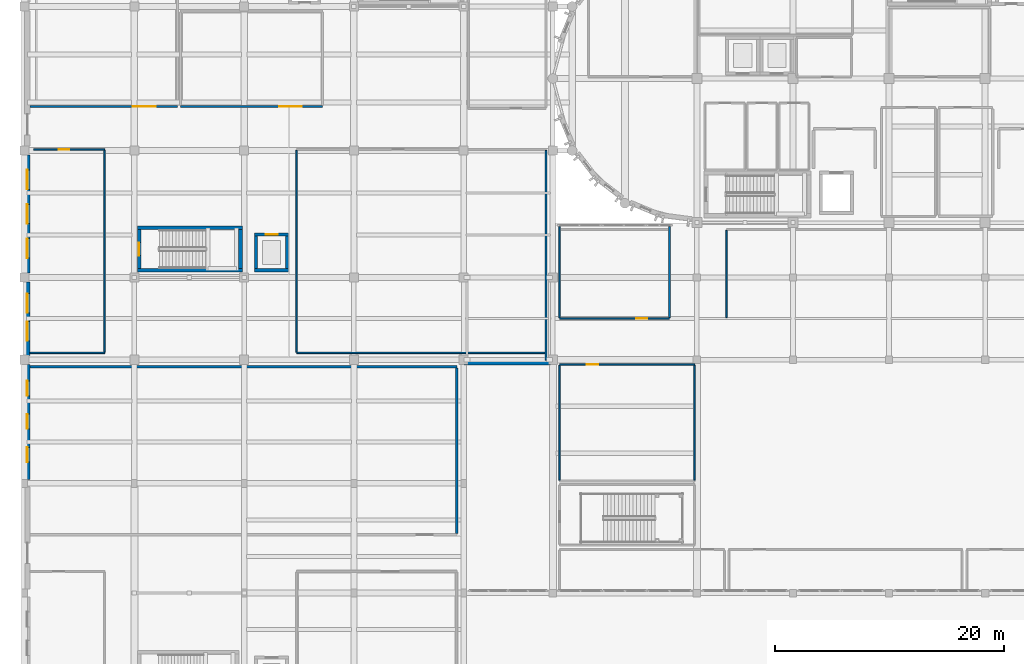
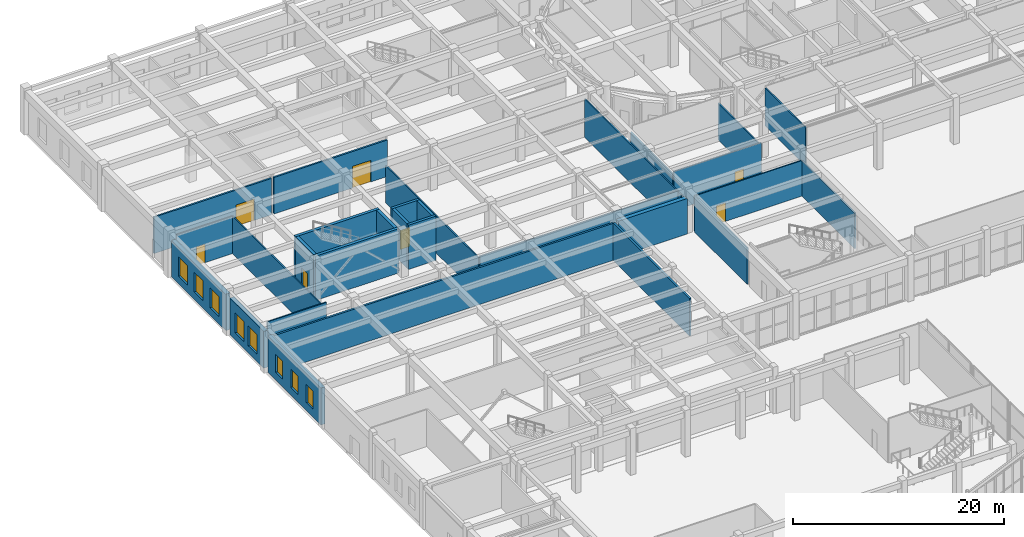
# One storey, part 69 of 98: 29 walls, 8 windows, 7 doors, 15 openings.
"""IFC4 building model written with IfcOpenShell, lengths in metres."""

from ifc_helpers import new_model, si_unit, direction, frame, frame_2d, origin, place, context, subcontext, project, spatial, rectangle, extrude, material, layer, layer_set, type_object, element, fill, save


model = new_model("IFC4")

# Units and contexts
model_context = context("Model", 3, precision=1e-05, world=origin(), true_north=direction((0.0, 1.0)))
body_context = subcontext(model_context, "Body", "Model", "MODEL_VIEW")
ifc_project = project(units=[si_unit("LENGTHUNIT", "METRE"), si_unit("AREAUNIT", "SQUARE_METRE"), si_unit("VOLUMEUNIT", "CUBIC_METRE"), si_unit("PLANEANGLEUNIT", "RADIAN"), si_unit("MASSUNIT", "GRAM", prefix="KILO")], contexts=[model_context])

# Site, building, storey
site_placement = place(None, origin())
site = spatial("IfcSite", under=ifc_project, at=site_placement, CompositionType="ELEMENT")
building_placement = place(site_placement, origin())
building = spatial("IfcBuilding", under=site, at=building_placement, Name="Tarnavel Promenade Courthouse", CompositionType="ELEMENT")
storey_placement = place(building_placement, origin())
storey = spatial("IfcBuildingStorey", under=building, at=storey_placement, Name="L01", CompositionType="ELEMENT", Elevation=0.0)

# Wall, opening, door
ifc_material_1 = material(Name="Concrete C40/50", Category="concrete")
ifc_layer_1 = layer(ifc_material_1, 0.280029296875)
ifc_layer_set_1 = layer_set([ifc_layer_1], Name="Concrete C40/50")
wall_type_1 = type_object("IfcWallType", Name="Concrete C40/50 WL-SHR-280 (280 mm)", PredefinedType="SHEAR", material=ifc_layer_set_1)
wall_1_placement = place(storey_placement, frame((20.10009765625, 78.159912109375, 0.0), z_axis=(0.0, 0.0, 1.0), x_axis=(1.0, 0.0, 0.0)))
wall_1 = element("IfcWall", 1, at=wall_1_placement, inside=storey, type_object=wall_type_1, Name="L01 L-PUB3 Lift Shaft North Wall", PredefinedType="SHEAR", context=body_context, shape_type="SweptSolid", body=[
    extrude(rectangle(XDim=3.0, YDim=0.280029296875, at=frame_2d((1.5, 0.0))), origin(), (0.0, 0.0, 1.0), 5.139892578125),
])
opening_1_placement = place(wall_1_placement, frame((0.97509765625, 0.0, 0.0)))
opening_1 = element("IfcOpeningElement", 2, at=opening_1_placement, cuts=wall_1, Name="Opening LD-02", PredefinedType="OPENING", context=body_context, shape_type="SweptSolid", body=[
    extrude(rectangle(XDim=1.050048828125, YDim=2.199951171875, at=frame_2d((0.52490234375, 1.10009765625))), frame((0.0, 0.14990234375, 0.0), z_axis=(0.0, -1.0, 0.0), x_axis=(1.0, 0.0, 0.0)), (0.0, 0.0, 1.0), 0.300048828125),
])
ifc_material_2 = material(Name="Brushed Bronze Passenger Lift Landing Sliding Door")
door_type_1 = type_object("IfcDoorType", Name="Brushed Bronze Passenger Lift Landing Sliding Door (LD-PUB-1050x2200)", OperationType="NOTDEFINED", PredefinedType="DOOR", material=ifc_material_2)
door_1_placement = place(opening_1_placement, origin())
door_1 = element("IfcDoor", 3, at=door_1_placement, inside=storey, type_object=door_type_1, Name="L01 L-PUB3 Lift Sliding Landing Door", OperationType="DOUBLE_DOOR_SLIDING", OverallHeight=2.199951171875, OverallWidth=1.050048828125, PredefinedType="DOOR", context=body_context, shape_type="SweptSolid", body=[
    extrude(rectangle(XDim=1.050048828125, YDim=2.199951171875, at=frame_2d((0.52490234375, 1.10009765625))), frame((0.0, 0.02490234375, 0.0), z_axis=(0.0, -1.0, 0.0), x_axis=(1.0, 0.0, 0.0)), (0.0, 0.0, 1.0), 0.050048828125),
])
fill(opening_1, door_1)

# Walls
wall_2_placement = place(storey_placement, frame((23.10009765625, 75.0400390625, 0.0), z_axis=(0.0, 0.0, 1.0), x_axis=(-1.0, 0.0, 0.0)))
element("IfcWall", 4, at=wall_2_placement, inside=storey, type_object=wall_type_1, Name="L01 L-PUB3 Lift Shaft South Wall", PredefinedType="SHEAR", context=body_context, shape_type="SweptSolid", body=[
    extrude(rectangle(XDim=3.0, YDim=0.280029296875, at=frame_2d((1.5, 0.0))), origin(), (0.0, 0.0, 1.0), 5.139892578125),
])
for number, where, z_axis, x_axis, name in (
    (5, (20.239990234375, 75.179931640625, 0.0), (0.0, 0.0, 1.0), (0.0, 1.0, 0.0), "L01 L-PUB3 Lift Shaft West Wall"),
    (6, (22.9599609375, 78.02001953125, 0.0), (0.0, 0.0, 1.0), (0.0, -1.0, 0.0), "L01 L-PUB3 Lift Shaft East Wall"),
):
    element("IfcWall", number, at=place(storey_placement, frame(where, z_axis=z_axis, x_axis=x_axis)), inside=storey, type_object=wall_type_1, Name=name, PredefinedType="SHEAR", context=body_context, shape_type="SweptSolid", body=[
        extrude(rectangle(XDim=2.840087890625, YDim=0.280029296875, at=frame_2d((1.419921875, 0.0))), origin(), (0.0, 0.0, 1.0), 5.139892578125),
    ])
ifc_layer_2 = layer(ifc_material_1, 0.320068359375)
ifc_layer_set_2 = layer_set([ifc_layer_2], Name="Concrete C40/50")
wall_type_2 = type_object("IfcWallType", Name="Concrete C40/50 WL-SHR-320 (320 mm)", PredefinedType="SHEAR", material=ifc_layer_set_2)
for number, where, z_axis, x_axis, name in (
    (7, (9.860107421875, 78.739990234375, 0.0), (0.0, 0.0, 1.0), (1.0, 0.0, 0.0), "L01 ST-04 Shear Core North Wall"),
    (8, (19.0400390625, 75.02001953125, 0.0), (0.0, 0.0, 1.0), (-1.0, 0.0, 0.0), "L01 ST-04 Shear Core South Wall"),
):
    element("IfcWall", number, at=place(storey_placement, frame(where, z_axis=z_axis, x_axis=x_axis)), inside=storey, type_object=wall_type_2, Name=name, PredefinedType="SHEAR", context=body_context, shape_type="SweptSolid", body=[
        extrude(rectangle(XDim=9.179931640625, YDim=0.320068359375, at=frame_2d((4.58984375, 0.0))), origin(), (0.0, 0.0, 1.0), 5.139892578125),
    ])

# Wall, opening, door
wall_3_placement = place(storey_placement, frame((10.02001953125, 75.179931640625, 0.0), z_axis=(0.0, 0.0, 1.0), x_axis=(0.0, 1.0, 0.0)))
wall_3 = element("IfcWall", 9, at=wall_3_placement, inside=storey, type_object=wall_type_2, Name="L01 ST-04 Shear Core West Landing Wall", PredefinedType="SHEAR", context=body_context, shape_type="SweptSolid", body=[
    extrude(rectangle(XDim=3.400146484375, YDim=0.320068359375, at=frame_2d((1.7001953125, 0.0))), origin(), (0.0, 0.0, 1.0), 5.139892578125),
])
opening_2_placement = place(wall_3_placement, frame((1.125, 0.0, 0.0)))
opening_2 = element("IfcOpeningElement", 10, at=opening_2_placement, cuts=wall_3, Name="Opening FD-01", PredefinedType="OPENING", context=body_context, shape_type="SweptSolid", body=[
    extrude(rectangle(XDim=1.14990234375, YDim=2.199951171875, at=frame_2d((0.574951171875, 1.10009765625))), frame((0.0, 0.169921875, 0.0), z_axis=(0.0, -1.0, 0.0), x_axis=(1.0, 0.0, 0.0)), (0.0, 0.0, 1.0), 0.340087890625),
])
ifc_material_3 = material(Name="Steel Fire-Rated Stair Core Door", Category="steel")
door_type_2 = type_object("IfcDoorType", Name="Steel Fire-Rated Stair Core Door (DR-ST-1150x2200)", OperationType="NOTDEFINED", PredefinedType="DOOR", material=ifc_material_3)
door_2_placement = place(opening_2_placement, origin())
door_2 = element("IfcDoor", 11, at=door_2_placement, inside=storey, type_object=door_type_2, Name="L01 ST-04 Protected Exit Stair Door", OperationType="SINGLE_SWING_LEFT", OverallHeight=2.199951171875, OverallWidth=1.14990234375, PredefinedType="DOOR", context=body_context, shape_type="SweptSolid", body=[
    extrude(rectangle(XDim=1.14990234375, YDim=2.199951171875, at=frame_2d((0.574951171875, 1.10009765625))), frame((0.0, 0.02490234375, 0.0), z_axis=(0.0, -1.0, 0.0), x_axis=(1.0, 0.0, 0.0)), (0.0, 0.0, 1.0), 0.050048828125),
])
fill(opening_2, door_2)

# Walls
wall_4_placement = place(storey_placement, frame((18.8798828125, 78.580078125, 0.0), z_axis=(0.0, 0.0, 1.0), x_axis=(0.0, -1.0, 0.0)))
element("IfcWall", 12, at=wall_4_placement, inside=storey, type_object=wall_type_2, Name="L01 ST-04 Shear Core East Wall", PredefinedType="SHEAR", context=body_context, shape_type="SweptSolid", body=[
    extrude(rectangle(XDim=3.400146484375, YDim=0.320068359375, at=frame_2d((1.7001953125, 0.0))), origin(), (0.0, 0.0, 1.0), 5.139892578125),
])
ifc_material_4 = material(Name="Concrete Masonry Fire Compartment Wall", Category="masonry")
ifc_layer_3 = layer(ifc_material_4, 0.205078125)
ifc_layer_set_3 = layer_set([ifc_layer_3], Name="Concrete Masonry Fire Compartment Wall")
wall_type_3 = type_object("IfcWallType", Name="Concrete Masonry Fire Compartment Wall WL-CMP-205 (205 mm)", PredefinedType="STANDARD", material=ifc_layer_set_3)
wall_5_placement = place(storey_placement, frame((0.4541015625, 66.60009765625, 0.0), z_axis=(0.0, 0.0, 1.0), x_axis=(1.0, 0.0, 0.0)))
element("IfcWall", 13, at=wall_5_placement, inside=storey, type_object=wall_type_3, Name="L01 Judicial Archive Public Reference Room Partition 0133", PredefinedType="STANDARD", context=body_context, shape_type="SweptSolid", body=[
    extrude(rectangle(XDim=37.345947265625, YDim=0.205078125, at=frame_2d((18.6728515625, 0.0))), origin(), (0.0, 0.0, 1.0), 4.280029296875),
])
wall_6_placement = place(storey_placement, frame((37.800048828125, 66.487548828125, 0.0), z_axis=(0.0, 0.0, 1.0), x_axis=(0.0, -1.0, 0.0)))
element("IfcWall", 14, at=wall_6_placement, inside=storey, type_object=wall_type_3, Name="L01 Judicial Archive Public Reference Room Partition 0135", PredefinedType="STANDARD", context=body_context, shape_type="SweptSolid", body=[
    extrude(rectangle(XDim=14.47509765625, YDim=0.205078125, at=frame_2d((7.237548828125, 0.0))), origin(), (0.0, 0.0, 1.0), 4.330078125),
])

# Wall, opening, door
ifc_material_5 = material(Name="Double-Stud Acoustic Courtroom Partition Assembly", Category="gypsum")
ifc_layer_4 = layer(ifc_material_5, 0.18505859375)
ifc_layer_set_4 = layer_set([ifc_layer_4], Name="Double-Stud Acoustic Courtroom Partition Assembly")
wall_type_4 = type_object("IfcWallType", Name="Double-Stud Acoustic Courtroom Partition Assembly WL-CRT-185 (185 mm)", PredefinedType="PARTITIONING", material=ifc_layer_set_4)
wall_7_placement = place(storey_placement, frame((13.360107421875, 89.340087890625, 0.0), z_axis=(0.0, 0.0, 1.0), x_axis=(-1.0, 0.0, 0.0)))
wall_7 = element("IfcWall", 15, at=wall_7_placement, inside=storey, type_object=wall_type_4, Name="L01 District Civil Courtroom Partition 0113", PredefinedType="PARTITIONING", context=body_context, shape_type="SweptSolid", body=[
    extrude(rectangle(XDim=12.885986328125, YDim=0.18505859375, at=frame_2d((6.44287109375, 0.0))), origin(), (0.0, 0.0, 1.0), 4.22998046875),
])
opening_3_placement = place(wall_7_placement, frame((1.8779296875, 0.0, 0.0)))
opening_3 = element("IfcOpeningElement", 16, at=opening_3_placement, cuts=wall_7, Name="Opening ID-01", PredefinedType="OPENING", context=body_context, shape_type="SweptSolid", body=[
    extrude(rectangle(XDim=2.0, YDim=2.5, at=frame_2d((1.0, 1.25))), frame((0.0, 0.1025390625, 0.0), z_axis=(0.0, -1.0, 0.0), x_axis=(1.0, 0.0, 0.0)), (0.0, 0.0, 1.0), 0.205078125),
])
ifc_material_6 = material(Name="Solid Oak Acoustic Courtroom Double Door")
door_type_3 = type_object("IfcDoorType", Name="Solid Oak Acoustic Courtroom Double Door (DR-CRT-2000x2500)", OperationType="NOTDEFINED", PredefinedType="DOOR", material=ifc_material_6)
door_3_placement = place(opening_3_placement, origin())
door_3 = element("IfcDoor", 17, at=door_3_placement, inside=storey, type_object=door_type_3, Name="L01 District Civil Courtroom Door 0032", OperationType="DOUBLE_DOOR_SINGLE_SWING", OverallHeight=2.5, OverallWidth=2.0, PredefinedType="DOOR", context=body_context, shape_type="SweptSolid", body=[
    extrude(rectangle(XDim=2.0, YDim=2.5, at=frame_2d((1.0, 1.25))), frame((0.0, 0.02490234375, 0.0), z_axis=(0.0, -1.0, 0.0), x_axis=(1.0, 0.0, 0.0)), (0.0, 0.0, 1.0), 0.050048828125),
])
fill(opening_3, door_3)

wall_8_placement = place(storey_placement, frame((26.06005859375, 89.340087890625, 0.0), z_axis=(0.0, 0.0, 1.0), x_axis=(-1.0, 0.0, 0.0)))
wall_8 = element("IfcWall", 18, at=wall_8_placement, inside=storey, type_object=wall_type_4, Name="L01 Magistrates' Summary Courtroom Partition 0116", PredefinedType="PARTITIONING", context=body_context, shape_type="SweptSolid", body=[
    extrude(rectangle(XDim=12.420166015625, YDim=0.18505859375, at=frame_2d((6.2099609375, 0.0))), origin(), (0.0, 0.0, 1.0), 4.22998046875),
])
opening_4_placement = place(wall_8_placement, frame((1.80810546875, 0.0, 0.0)))
opening_4 = element("IfcOpeningElement", 19, at=opening_4_placement, cuts=wall_8, Name="Opening ID-01", PredefinedType="OPENING", context=body_context, shape_type="SweptSolid", body=[
    extrude(rectangle(XDim=2.0, YDim=2.5, at=frame_2d((1.0, 1.25))), frame((0.0, 0.1025390625, 0.0), z_axis=(0.0, -1.0, 0.0), x_axis=(1.0, 0.0, 0.0)), (0.0, 0.0, 1.0), 0.205078125),
])
door_4_placement = place(opening_4_placement, origin())
door_4 = element("IfcDoor", 20, at=door_4_placement, inside=storey, type_object=door_type_3, Name="L01 Magistrates' Summary Courtroom Door 0033", OperationType="DOUBLE_DOOR_SINGLE_SWING", OverallHeight=2.5, OverallWidth=2.0, PredefinedType="DOOR", context=body_context, shape_type="SweptSolid", body=[
    extrude(rectangle(XDim=2.0, YDim=2.5, at=frame_2d((1.0, 1.25))), frame((0.0, 0.02490234375, 0.0), z_axis=(0.0, -1.0, 0.0), x_axis=(1.0, 0.0, 0.0)), (0.0, 0.0, 1.0), 0.050048828125),
])
fill(opening_4, door_4)

# Wall, openings, windows
ifc_material_7 = material(Name="Limestone Ashlar Faced Insulated Brick Masonry", Category="masonry")
ifc_layer_5 = layer(ifc_material_7, 0.43994140625)
ifc_layer_set_5 = layer_set([ifc_layer_5], Name="Limestone Ashlar Faced Insulated Brick Masonry")
wall_type_5 = type_object("IfcWallType", Name="Limestone Ashlar Faced Insulated Brick Masonry WL-EXT-440 (440 mm)", PredefinedType="STANDARD", material=ifc_layer_set_5)
wall_9_placement = place(storey_placement, frame((0.239990234375, 56.741943359375, 0.0), z_axis=(0.0, 0.0, 1.0), x_axis=(0.0, 1.0, 0.0)))
wall_9 = element("IfcWall", 21, at=wall_9_placement, inside=storey, type_object=wall_type_5, Name="L01 Law Library West Brick Facade 0339", PredefinedType="STANDARD", context=body_context, shape_type="SweptSolid", body=[
    extrude(rectangle(XDim=10.066162109375, YDim=0.43994140625, at=frame_2d((5.033203125, 0.0))), origin(), (0.0, 0.0, 1.0), 4.280029296875),
])
opening_5_placement = place(wall_9_placement, frame((1.508056640625, 0.0, 0.89990234375)))
opening_5 = element("IfcOpeningElement", 22, at=opening_5_placement, cuts=wall_9, Name="Opening W-06", PredefinedType="OPENING", context=body_context, shape_type="SweptSolid", body=[
    extrude(rectangle(XDim=1.300048828125, YDim=2.10009765625, at=frame_2d((0.64990234375, 1.050048828125))), frame((0.0, 0.22998046875, 0.0), z_axis=(0.0, -1.0, 0.0), x_axis=(1.0, 0.0, 0.0)), (0.0, 0.0, 1.0), 0.4599609375),
])
opening_6_placement = place(wall_9_placement, frame((4.407958984375, 0.0, 0.89990234375)))
opening_6 = element("IfcOpeningElement", 23, at=opening_6_placement, cuts=wall_9, Name="Opening W-06", PredefinedType="OPENING", context=body_context, shape_type="SweptSolid", body=[
    extrude(rectangle(XDim=1.300048828125, YDim=2.10009765625, at=frame_2d((0.64990234375, 1.050048828125))), frame((0.0, 0.22998046875, 0.0), z_axis=(0.0, -1.0, 0.0), x_axis=(1.0, 0.0, 0.0)), (0.0, 0.0, 1.0), 0.4599609375),
])
opening_7_placement = place(wall_9_placement, frame((7.30810546875, 0.0, 0.89990234375)))
opening_7 = element("IfcOpeningElement", 24, at=opening_7_placement, cuts=wall_9, Name="Opening W-06", PredefinedType="OPENING", context=body_context, shape_type="SweptSolid", body=[
    extrude(rectangle(XDim=1.300048828125, YDim=2.10009765625, at=frame_2d((0.64990234375, 1.050048828125))), frame((0.0, 0.22998046875, 0.0), z_axis=(0.0, -1.0, 0.0), x_axis=(1.0, 0.0, 0.0)), (0.0, 0.0, 1.0), 0.4599609375),
])
ifc_material_8 = material(Name="Triple Low-E Glazed Bronze-Clad Window Assembly")
window_type_1 = type_object("IfcWindowType", Name="Triple-Glazed Bronze-Clad Timber-Aluminium WIN-LIB-1300x2100", PartitioningType="SINGLE_PANEL", PredefinedType="WINDOW", material=ifc_material_8)
window_1_placement = place(opening_5_placement, origin())
window_1 = element("IfcWindow", 25, at=window_1_placement, inside=storey, type_object=window_type_1, Name="L01 Exterior Window 0390", OverallHeight=2.10009765625, OverallWidth=1.300048828125, PartitioningType="SINGLE_PANEL", PredefinedType="WINDOW", context=body_context, shape_type="SweptSolid", body=[
    extrude(rectangle(XDim=1.300048828125, YDim=2.10009765625, at=frame_2d((0.64990234375, 1.050048828125))), frame((0.0, 0.030029296875, 0.0), z_axis=(0.0, -1.0, 0.0), x_axis=(1.0, 0.0, 0.0)), (0.0, 0.0, 1.0), 0.06005859375),
])
fill(opening_5, window_1)
window_2_placement = place(opening_6_placement, origin())
window_2 = element("IfcWindow", 26, at=window_2_placement, inside=storey, type_object=window_type_1, Name="L01 Exterior Window 0391", OverallHeight=2.10009765625, OverallWidth=1.300048828125, PartitioningType="SINGLE_PANEL", PredefinedType="WINDOW", context=body_context, shape_type="SweptSolid", body=[
    extrude(rectangle(XDim=1.300048828125, YDim=2.10009765625, at=frame_2d((0.64990234375, 1.050048828125))), frame((0.0, 0.030029296875, 0.0), z_axis=(0.0, -1.0, 0.0), x_axis=(1.0, 0.0, 0.0)), (0.0, 0.0, 1.0), 0.06005859375),
])
fill(opening_6, window_2)
window_3_placement = place(opening_7_placement, origin())
window_3 = element("IfcWindow", 27, at=window_3_placement, inside=storey, type_object=window_type_1, Name="L01 Exterior Window 0392", OverallHeight=2.10009765625, OverallWidth=1.300048828125, PartitioningType="SINGLE_PANEL", PredefinedType="WINDOW", context=body_context, shape_type="SweptSolid", body=[
    extrude(rectangle(XDim=1.300048828125, YDim=2.10009765625, at=frame_2d((0.64990234375, 1.050048828125))), frame((0.0, 0.030029296875, 0.0), z_axis=(0.0, -1.0, 0.0), x_axis=(1.0, 0.0, 0.0)), (0.0, 0.0, 1.0), 0.06005859375),
])
fill(opening_7, window_3)

# Wall
wall_10_placement = place(storey_placement, frame((38.449951171875, 66.9599609375, 0.0), z_axis=(0.0, 0.0, 1.0), x_axis=(1.0, 0.0, 0.0)))
element("IfcWall", 28, at=wall_10_placement, inside=storey, type_object=wall_type_5, Name="L01 Winter-Garden West Link North Wall 0435", PredefinedType="STANDARD", context=body_context, shape_type="SweptSolid", body=[
    extrude(rectangle(XDim=7.550048828125, YDim=0.43994140625, at=frame_2d((3.77490234375, 0.0))), origin(), (0.0, 0.0, 1.0), 4.1298828125),
])

# Wall, openings, windows
ifc_layer_6 = layer(ifc_material_7, 0.47998046875)
ifc_layer_set_6 = layer_set([ifc_layer_6], Name="Limestone Ashlar Faced Insulated Brick Masonry")
wall_type_6 = type_object("IfcWallType", Name="Limestone Ashlar Faced Insulated Brick Masonry WL-EXT-480 (480 mm)", PredefinedType="STANDARD", material=ifc_layer_set_6)
wall_11_placement = place(storey_placement, frame((0.239990234375, 67.592041015625, 0.0), z_axis=(0.0, 0.0, 1.0), x_axis=(0.0, 1.0, 0.0)))
wall_11 = element("IfcWall", 29, at=wall_11_placement, inside=storey, type_object=wall_type_6, Name="L01 Trial Wing West Ashlar Facade 0277", PredefinedType="STANDARD", context=body_context, shape_type="SweptSolid", body=[
    extrude(rectangle(XDim=6.416015625, YDim=0.47998046875, at=frame_2d((3.2080078125, 0.0))), origin(), (0.0, 0.0, 1.0), 4.280029296875),
])
opening_8_placement = place(wall_11_placement, frame((1.2529296875, 0.0, 0.85009765625)))
opening_8 = element("IfcOpeningElement", 30, at=opening_8_placement, cuts=wall_11, Name="Opening W-01", PredefinedType="OPENING", context=body_context, shape_type="SweptSolid", body=[
    extrude(rectangle(XDim=1.699951171875, YDim=2.300048828125, at=frame_2d((0.85009765625, 1.14990234375))), frame((0.0, 0.25, 0.0), z_axis=(0.0, -1.0, 0.0), x_axis=(1.0, 0.0, 0.0)), (0.0, 0.0, 1.0), 0.5),
])
opening_9_placement = place(wall_11_placement, frame((3.702880859375, 0.0, 0.85009765625)))
opening_9 = element("IfcOpeningElement", 31, at=opening_9_placement, cuts=wall_11, Name="Opening W-01", PredefinedType="OPENING", context=body_context, shape_type="SweptSolid", body=[
    extrude(rectangle(XDim=1.699951171875, YDim=2.300048828125, at=frame_2d((0.85009765625, 1.14990234375))), frame((0.0, 0.25, 0.0), z_axis=(0.0, -1.0, 0.0), x_axis=(1.0, 0.0, 0.0)), (0.0, 0.0, 1.0), 0.5),
])
window_type_2 = type_object("IfcWindowType", Name="Triple-Glazed Bronze-Clad Timber-Aluminium WIN-CRT-1700x2300", PartitioningType="SINGLE_PANEL", PredefinedType="WINDOW", material=ifc_material_8)
window_4_placement = place(opening_8_placement, origin())
window_4 = element("IfcWindow", 32, at=window_4_placement, inside=storey, type_object=window_type_2, Name="L01 Exterior Window 0243", OverallHeight=2.300048828125, OverallWidth=1.699951171875, PartitioningType="SINGLE_PANEL", PredefinedType="WINDOW", context=body_context, shape_type="SweptSolid", body=[
    extrude(rectangle(XDim=1.699951171875, YDim=2.300048828125, at=frame_2d((0.85009765625, 1.14990234375))), frame((0.0, 0.030029296875, 0.0), z_axis=(0.0, -1.0, 0.0), x_axis=(1.0, 0.0, 0.0)), (0.0, 0.0, 1.0), 0.06005859375),
])
fill(opening_8, window_4)
window_5_placement = place(opening_9_placement, origin())
window_5 = element("IfcWindow", 33, at=window_5_placement, inside=storey, type_object=window_type_2, Name="L01 Exterior Window 0244", OverallHeight=2.300048828125, OverallWidth=1.699951171875, PartitioningType="SINGLE_PANEL", PredefinedType="WINDOW", context=body_context, shape_type="SweptSolid", body=[
    extrude(rectangle(XDim=1.699951171875, YDim=2.300048828125, at=frame_2d((0.85009765625, 1.14990234375))), frame((0.0, 0.030029296875, 0.0), z_axis=(0.0, -1.0, 0.0), x_axis=(1.0, 0.0, 0.0)), (0.0, 0.0, 1.0), 0.06005859375),
])
fill(opening_9, window_5)

wall_12_placement = place(storey_placement, frame((0.239990234375, 74.7919921875, 0.0), z_axis=(0.0, 0.0, 1.0), x_axis=(0.0, 1.0, 0.0)))
wall_12 = element("IfcWall", 34, at=wall_12_placement, inside=storey, type_object=wall_type_6, Name="L01 Trial Wing West Ashlar Facade 0278", PredefinedType="STANDARD", context=body_context, shape_type="SweptSolid", body=[
    extrude(rectangle(XDim=10.31591796875, YDim=0.47998046875, at=frame_2d((5.157958984375, 0.0))), origin(), (0.0, 0.0, 1.0), 4.22998046875),
])
opening_10_placement = place(wall_12_placement, frame((1.294677734375, 0.0, 0.85009765625)))
opening_10 = element("IfcOpeningElement", 35, at=opening_10_placement, cuts=wall_12, Name="Opening W-01", PredefinedType="OPENING", context=body_context, shape_type="SweptSolid", body=[
    extrude(rectangle(XDim=1.699951171875, YDim=2.300048828125, at=frame_2d((0.85009765625, 1.14990234375))), frame((0.0, 0.25, 0.0), z_axis=(0.0, -1.0, 0.0), x_axis=(1.0, 0.0, 0.0)), (0.0, 0.0, 1.0), 0.5),
])
opening_11_placement = place(wall_12_placement, frame((4.30810546875, 0.0, 0.85009765625)))
opening_11 = element("IfcOpeningElement", 36, at=opening_11_placement, cuts=wall_12, Name="Opening W-01", PredefinedType="OPENING", context=body_context, shape_type="SweptSolid", body=[
    extrude(rectangle(XDim=1.699951171875, YDim=2.300048828125, at=frame_2d((0.85009765625, 1.14990234375))), frame((0.0, 0.25, 0.0), z_axis=(0.0, -1.0, 0.0), x_axis=(1.0, 0.0, 0.0)), (0.0, 0.0, 1.0), 0.5),
])
opening_12_placement = place(wall_12_placement, frame((7.3212890625, 0.0, 0.85009765625)))
opening_12 = element("IfcOpeningElement", 37, at=opening_12_placement, cuts=wall_12, Name="Opening W-01", PredefinedType="OPENING", context=body_context, shape_type="SweptSolid", body=[
    extrude(rectangle(XDim=1.699951171875, YDim=2.300048828125, at=frame_2d((0.85009765625, 1.14990234375))), frame((0.0, 0.25, 0.0), z_axis=(0.0, -1.0, 0.0), x_axis=(1.0, 0.0, 0.0)), (0.0, 0.0, 1.0), 0.5),
])
window_6_placement = place(opening_10_placement, origin())
window_6 = element("IfcWindow", 38, at=window_6_placement, inside=storey, type_object=window_type_2, Name="L01 Exterior Window 0245", OverallHeight=2.300048828125, OverallWidth=1.699951171875, PartitioningType="SINGLE_PANEL", PredefinedType="WINDOW", context=body_context, shape_type="SweptSolid", body=[
    extrude(rectangle(XDim=1.699951171875, YDim=2.300048828125, at=frame_2d((0.85009765625, 1.14990234375))), frame((0.0, 0.030029296875, 0.0), z_axis=(0.0, -1.0, 0.0), x_axis=(1.0, 0.0, 0.0)), (0.0, 0.0, 1.0), 0.06005859375),
])
fill(opening_10, window_6)
window_7_placement = place(opening_11_placement, origin())
window_7 = element("IfcWindow", 39, at=window_7_placement, inside=storey, type_object=window_type_2, Name="L01 Exterior Window 0246", OverallHeight=2.300048828125, OverallWidth=1.699951171875, PartitioningType="SINGLE_PANEL", PredefinedType="WINDOW", context=body_context, shape_type="SweptSolid", body=[
    extrude(rectangle(XDim=1.699951171875, YDim=2.300048828125, at=frame_2d((0.85009765625, 1.14990234375))), frame((0.0, 0.030029296875, 0.0), z_axis=(0.0, -1.0, 0.0), x_axis=(1.0, 0.0, 0.0)), (0.0, 0.0, 1.0), 0.06005859375),
])
fill(opening_11, window_7)
window_8_placement = place(opening_12_placement, origin())
window_8 = element("IfcWindow", 40, at=window_8_placement, inside=storey, type_object=window_type_2, Name="L01 Exterior Window 0247", OverallHeight=2.300048828125, OverallWidth=1.699951171875, PartitioningType="SINGLE_PANEL", PredefinedType="WINDOW", context=body_context, shape_type="SweptSolid", body=[
    extrude(rectangle(XDim=1.699951171875, YDim=2.300048828125, at=frame_2d((0.85009765625, 1.14990234375))), frame((0.0, 0.030029296875, 0.0), z_axis=(0.0, -1.0, 0.0), x_axis=(1.0, 0.0, 0.0)), (0.0, 0.0, 1.0), 0.06005859375),
])
fill(opening_12, window_8)

# Wall, opening, door
ifc_material_9 = material(Name="Metal-Stud Acoustic Gypsum Partition", Category="gypsum")
ifc_layer_7 = layer(ifc_material_9, 0.135009765625)
ifc_layer_set_7 = layer_set([ifc_layer_7], Name="Metal-Stud Acoustic Gypsum Partition")
wall_type_7 = type_object("IfcWallType", Name="Metal-Stud Acoustic Gypsum Partition WL-OFF-135 (135 mm)", PredefinedType="PARTITIONING", material=ifc_layer_set_7)
wall_13_placement = place(storey_placement, frame((0.800048828125, 85.60009765625, 0.0), z_axis=(0.0, 0.0, 1.0), x_axis=(1.0, 0.0, 0.0)))
wall_13 = element("IfcWall", 41, at=wall_13_placement, inside=storey, type_object=wall_type_7, Name="L01 Public Case Filing Registry West Partition 0126", PredefinedType="PARTITIONING", context=body_context, shape_type="SweptSolid", body=[
    extrude(rectangle(XDim=6.199951171875, YDim=0.135009765625, at=frame_2d((3.10009765625, 0.0))), origin(), (0.0, 0.0, 1.0), 4.330078125),
])
opening_13_placement = place(wall_13_placement, frame((2.169921875, 0.0, 0.0)))
opening_13 = element("IfcOpeningElement", 42, at=opening_13_placement, cuts=wall_13, Name="Opening ID-06", PredefinedType="OPENING", context=body_context, shape_type="SweptSolid", body=[
    extrude(rectangle(XDim=0.949951171875, YDim=2.14990234375, at=frame_2d((0.47509765625, 1.074951171875))), frame((0.0, 0.077392578125, 0.0), z_axis=(0.0, -1.0, 0.0), x_axis=(1.0, 0.0, 0.0)), (0.0, 0.0, 1.0), 0.155029296875),
])
ifc_material_10 = material(Name="Acoustic Timber Veneer Office Door", Category="wood")
door_type_4 = type_object("IfcDoorType", Name="Acoustic Timber Veneer Office Door (DR-OFF-0950x2150)", OperationType="NOTDEFINED", PredefinedType="DOOR", material=ifc_material_10)
door_5_placement = place(opening_13_placement, origin())
door_5 = element("IfcDoor", 43, at=door_5_placement, inside=storey, type_object=door_type_4, Name="L01 Public Case Filing Registry West Door 0036", OperationType="SINGLE_SWING_RIGHT", OverallHeight=2.14990234375, OverallWidth=0.949951171875, PredefinedType="DOOR", context=body_context, shape_type="SweptSolid", body=[
    extrude(rectangle(XDim=0.949951171875, YDim=2.14990234375, at=frame_2d((0.47509765625, 1.074951171875))), frame((0.0, 0.02490234375, 0.0), z_axis=(0.0, -1.0, 0.0), x_axis=(1.0, 0.0, 0.0)), (0.0, 0.0, 1.0), 0.050048828125),
])
fill(opening_13, door_5)

# Walls
wall_14_placement = place(storey_placement, frame((7.0, 67.800048828125, 0.0), z_axis=(0.0, 0.0, 1.0), x_axis=(-1.0, 0.0, 0.0)))
element("IfcWall", 44, at=wall_14_placement, inside=storey, type_object=wall_type_7, Name="L01 Public Case Filing Registry West Partition 0127", PredefinedType="PARTITIONING", context=body_context, shape_type="SweptSolid", body=[
    extrude(rectangle(XDim=6.52587890625, YDim=0.135009765625, at=frame_2d((3.262939453125, 0.0))), origin(), (0.0, 0.0, 1.0), 5.125),
])
wall_15_placement = place(storey_placement, frame((7.0, 85.5224609375, 0.0), z_axis=(0.0, 0.0, 1.0), x_axis=(0.0, -1.0, 0.0)))
element("IfcWall", 45, at=wall_15_placement, inside=storey, type_object=wall_type_7, Name="L01 Public Case Filing Registry West Partition 0128", PredefinedType="PARTITIONING", context=body_context, shape_type="SweptSolid", body=[
    extrude(rectangle(XDim=17.64501953125, YDim=0.135009765625, at=frame_2d((8.822509765625, 0.0))), origin(), (0.0, 0.0, 1.0), 4.330078125),
])
wall_16_placement = place(storey_placement, frame((45.60009765625, 67.800048828125, 0.0), z_axis=(0.0, 0.0, 1.0), x_axis=(-1.0, 0.0, 0.0)))
element("IfcWall", 46, at=wall_16_placement, inside=storey, type_object=wall_type_7, Name="L01 Legal Aid Clinic and Case Office Partition 0130", PredefinedType="PARTITIONING", context=body_context, shape_type="SweptSolid", body=[
    extrude(rectangle(XDim=21.800048828125, YDim=0.135009765625, at=frame_2d((10.89990234375, 0.0))), origin(), (0.0, 0.0, 1.0), 4.580078125),
])
wall_17_placement = place(storey_placement, frame((23.800048828125, 67.87744140625, 0.0), z_axis=(0.0, 0.0, 1.0), x_axis=(0.0, 1.0, 0.0)))
element("IfcWall", 47, at=wall_17_placement, inside=storey, type_object=wall_type_7, Name="L01 Legal Aid Clinic and Case Office Partition 0131", PredefinedType="PARTITIONING", context=body_context, shape_type="SweptSolid", body=[
    extrude(rectangle(XDim=17.64501953125, YDim=0.135009765625, at=frame_2d((8.822509765625, 0.0))), origin(), (0.0, 0.0, 1.0), 4.330078125),
])
wall_18_placement = place(storey_placement, frame((45.60009765625, 85.5224609375, 0.0), z_axis=(0.0, 0.0, 1.0), x_axis=(0.0, -1.0, 0.0)))
element("IfcWall", 48, at=wall_18_placement, inside=storey, type_object=wall_type_7, Name="L01 Legal Aid Clinic and Case Office Partition 0132", PredefinedType="PARTITIONING", context=body_context, shape_type="SweptSolid", body=[
    extrude(rectangle(XDim=18.348388671875, YDim=0.135009765625, at=frame_2d((9.17431640625, 0.0))), origin(), (0.0, 0.0, 1.0), 4.469970703125),
])

# Wall, opening, door
wall_19_placement = place(storey_placement, frame((46.800048828125, 66.800048828125, 0.0), z_axis=(0.0, 0.0, 1.0), x_axis=(1.0, 0.0, 0.0)))
wall_19 = element("IfcWall", 49, at=wall_19_placement, inside=storey, type_object=wall_type_7, Name="L01 Public Mediation and Citizen Guidance Salon Partition 0151", PredefinedType="PARTITIONING", context=body_context, shape_type="SweptSolid", body=[
    extrude(rectangle(XDim=11.800048828125, YDim=0.135009765625, at=frame_2d((5.89990234375, 0.0))), origin(), (0.0, 0.0, 1.0), 4.1298828125),
])
opening_14_placement = place(wall_19_placement, frame((2.365966796875, 0.0, 0.0)))
opening_14 = element("IfcOpeningElement", 50, at=opening_14_placement, cuts=wall_19, Name="Opening ID-07", PredefinedType="OPENING", context=body_context, shape_type="SweptSolid", body=[
    extrude(rectangle(XDim=1.02001953125, YDim=2.14990234375, at=frame_2d((0.510009765625, 1.074951171875))), frame((0.0, 0.077392578125, 0.0), z_axis=(0.0, -1.0, 0.0), x_axis=(1.0, 0.0, 0.0)), (0.0, 0.0, 1.0), 0.155029296875),
])
ifc_material_11 = material(Name="Acoustic Timber Seminar Room Door", Category="wood")
door_type_5 = type_object("IfcDoorType", Name="Acoustic Timber Seminar Room Door (DR-MTG-1020x2150)", OperationType="NOTDEFINED", PredefinedType="DOOR", material=ifc_material_11)
door_6_placement = place(opening_14_placement, origin())
door_6 = element("IfcDoor", 51, at=door_6_placement, inside=storey, type_object=door_type_5, Name="L01 Public Mediation and Citizen Guidance Salon Door 0044", OperationType="SINGLE_SWING_LEFT", OverallHeight=2.14990234375, OverallWidth=1.02001953125, PredefinedType="DOOR", context=body_context, shape_type="SweptSolid", body=[
    extrude(rectangle(XDim=1.02001953125, YDim=2.14990234375, at=frame_2d((0.510009765625, 1.074951171875))), frame((0.0, 0.02490234375, 0.0), z_axis=(0.0, -1.0, 0.0), x_axis=(1.0, 0.0, 0.0)), (0.0, 0.0, 1.0), 0.050048828125),
])
fill(opening_14, door_6)

# Walls
wall_20_placement = place(storey_placement, frame((46.800048828125, 56.677490234375, 0.0), z_axis=(0.0, 0.0, 1.0), x_axis=(0.0, 1.0, 0.0)))
element("IfcWall", 52, at=wall_20_placement, inside=storey, type_object=wall_type_7, Name="L01 Public Mediation and Citizen Guidance Salon Partition 0153", PredefinedType="PARTITIONING", context=body_context, shape_type="SweptSolid", body=[
    extrude(rectangle(XDim=10.044921875, YDim=0.135009765625, at=frame_2d((5.0224609375, 0.0))), origin(), (0.0, 0.0, 1.0), 4.22998046875),
])
wall_21_placement = place(storey_placement, frame((58.60009765625, 66.722412109375, 0.0), z_axis=(0.0, 0.0, 1.0), x_axis=(0.0, -1.0, 0.0)))
element("IfcWall", 53, at=wall_21_placement, inside=storey, type_object=wall_type_7, Name="L01 Public Mediation and Citizen Guidance Salon Partition 0154", PredefinedType="PARTITIONING", context=body_context, shape_type="SweptSolid", body=[
    extrude(rectangle(XDim=10.044921875, YDim=0.135009765625, at=frame_2d((5.0224609375, 0.0))), origin(), (0.0, 0.0, 1.0), 4.1298828125),
])

# Wall, opening, door
wall_22_placement = place(storey_placement, frame((56.39990234375, 70.800048828125, 0.0), z_axis=(0.0, 0.0, 1.0), x_axis=(-1.0, 0.0, 0.0)))
wall_22 = element("IfcWall", 54, at=wall_22_placement, inside=storey, type_object=wall_type_7, Name="L01 Public Waiting and Cashier Suite Partition 0177", PredefinedType="PARTITIONING", context=body_context, shape_type="SweptSolid", body=[
    extrude(rectangle(XDim=9.599853515625, YDim=0.135009765625, at=frame_2d((4.7998046875, 0.0))), origin(), (0.0, 0.0, 1.0), 4.530029296875),
])
opening_15_placement = place(wall_22_placement, frame((1.93994140625, 0.0, 0.0)))
opening_15 = element("IfcOpeningElement", 55, at=opening_15_placement, cuts=wall_22, Name="Opening ID-06", PredefinedType="OPENING", context=body_context, shape_type="SweptSolid", body=[
    extrude(rectangle(XDim=0.949951171875, YDim=2.14990234375, at=frame_2d((0.47509765625, 1.074951171875))), frame((0.0, 0.077392578125, 0.0), z_axis=(0.0, -1.0, 0.0), x_axis=(1.0, 0.0, 0.0)), (0.0, 0.0, 1.0), 0.155029296875),
])
door_7_placement = place(opening_15_placement, origin())
door_7 = element("IfcDoor", 56, at=door_7_placement, inside=storey, type_object=door_type_4, Name="L01 Public Waiting and Cashier Suite Door 0051", OperationType="SINGLE_SWING_RIGHT", OverallHeight=2.14990234375, OverallWidth=0.949951171875, PredefinedType="DOOR", context=body_context, shape_type="SweptSolid", body=[
    extrude(rectangle(XDim=0.949951171875, YDim=2.14990234375, at=frame_2d((0.47509765625, 1.074951171875))), frame((0.0, 0.02490234375, 0.0), z_axis=(0.0, -1.0, 0.0), x_axis=(1.0, 0.0, 0.0)), (0.0, 0.0, 1.0), 0.050048828125),
])
fill(opening_15, door_7)

# Walls
for number, where, z_axis, x_axis, name in (
    (57, (46.800048828125, 70.87744140625, 0.0), (0.0, 0.0, 1.0), (0.0, 1.0, 0.0), "L01 Public Waiting and Cashier Suite Partition 0178"),
    (58, (56.39990234375, 78.860107421875, 0.0), (0.0, 0.0, 1.0), (0.0, -1.0, 0.0), "L01 Public Waiting and Cashier Suite Partition 0179"),
):
    element("IfcWall", number, at=place(storey_placement, frame(where, z_axis=z_axis, x_axis=x_axis)), inside=storey, type_object=wall_type_7, Name=name, PredefinedType="PARTITIONING", context=body_context, shape_type="SweptSolid", body=[
        extrude(rectangle(XDim=7.982666015625, YDim=0.135009765625, at=frame_2d((3.9912109375, 0.0))), origin(), (0.0, 0.0, 1.0), 4.22998046875),
    ])
wall_23_placement = place(storey_placement, frame((61.39990234375, 70.87744140625, 0.0), z_axis=(0.0, 0.0, 1.0), x_axis=(0.0, 1.0, 0.0)))
element("IfcWall", 59, at=wall_23_placement, inside=storey, type_object=wall_type_7, Name="L01 Central Civil and Commercial Docket Registry Partition 0182", PredefinedType="PARTITIONING", context=body_context, shape_type="SweptSolid", body=[
    extrude(rectangle(XDim=7.64501953125, YDim=0.135009765625, at=frame_2d((3.822509765625, 0.0))), origin(), (0.0, 0.0, 1.0), 4.429931640625),
])

save(model, "model.ifc")
